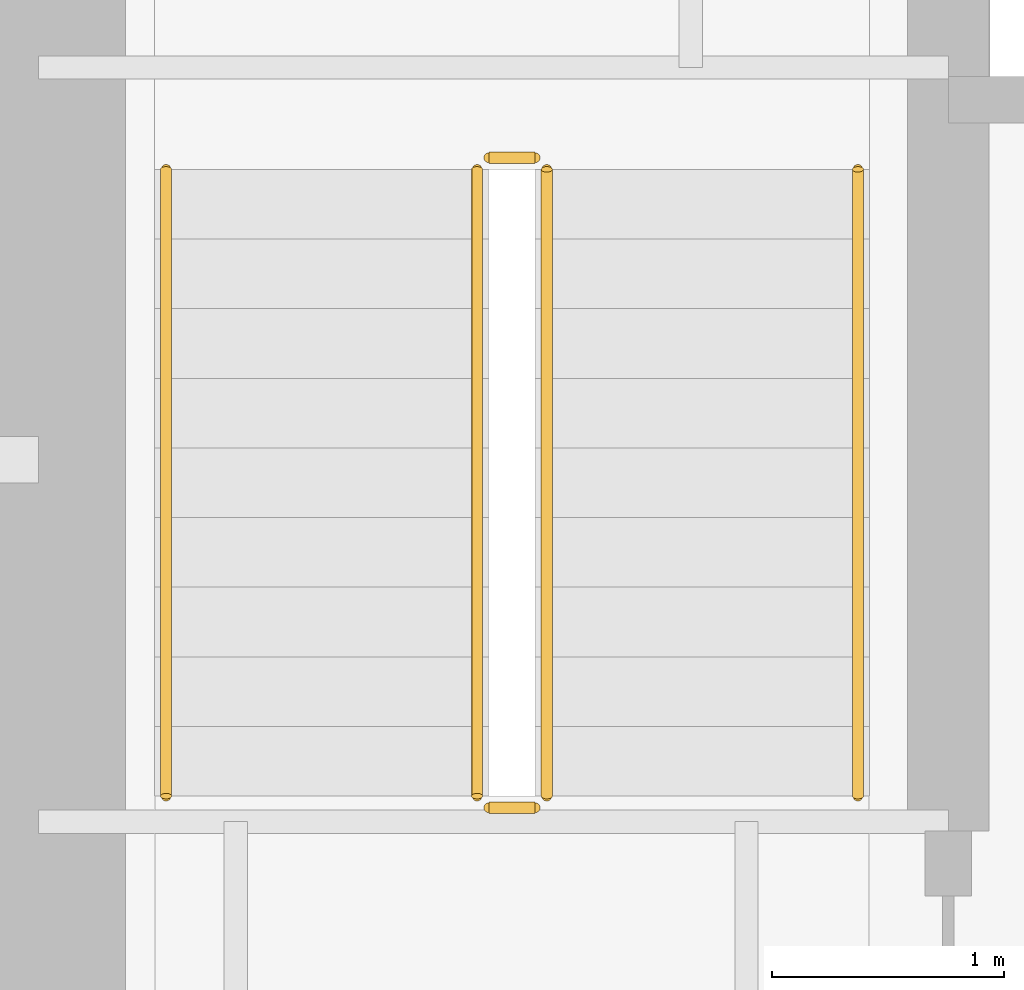
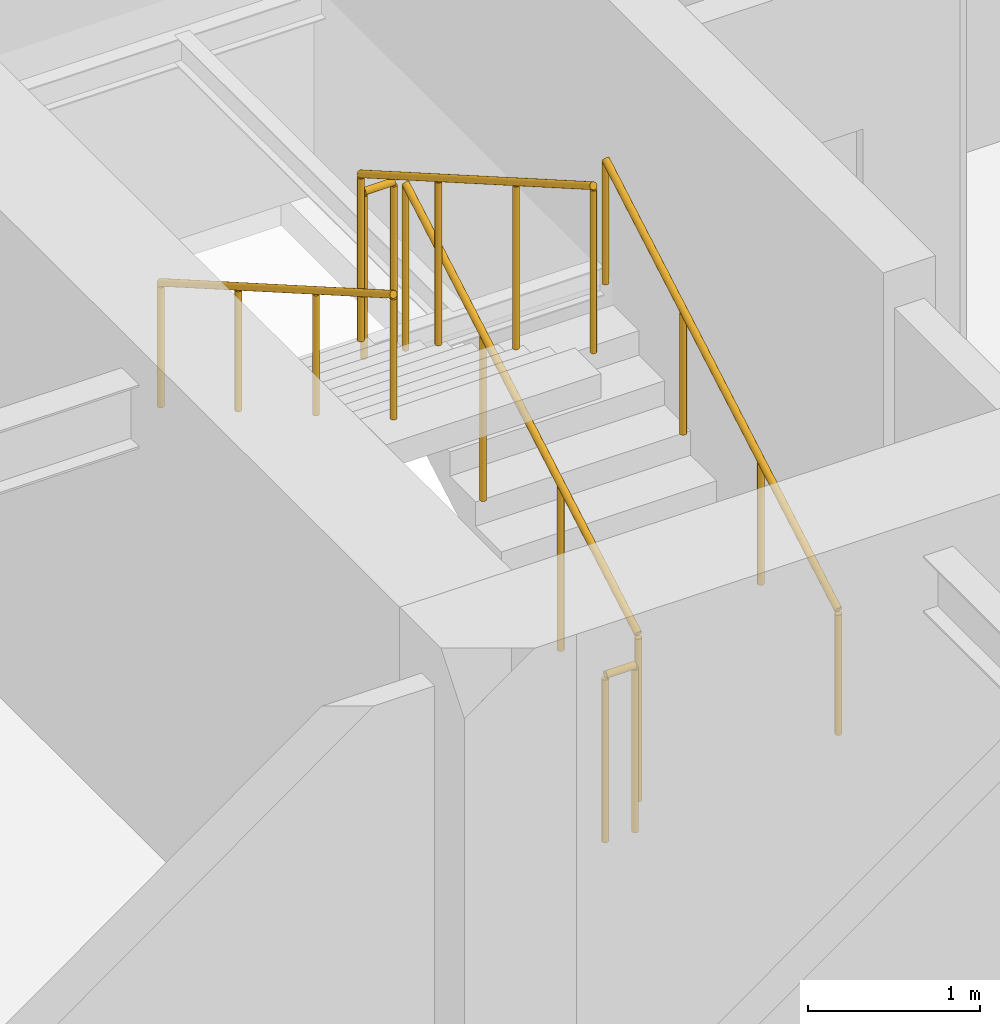
# One storey, part 13 of 15: 6 railings.
"""IFC4 building model written with IfcOpenShell, lengths in metres."""

from ifc_helpers import new_model, si_unit, direction, frame, origin, origin_2d, place, context, subcontext, project, spatial, circle, extrude, material, type_object, element, save


model = new_model("IFC4")

# Units and contexts
model_context = context("Model", 3, precision=1e-05, world=origin(), true_north=direction((0.0, 1.0)))
body_context = subcontext(model_context, "Body", "Model", "MODEL_VIEW")
ifc_project = project(units=[si_unit("LENGTHUNIT", "METRE"), si_unit("AREAUNIT", "SQUARE_METRE"), si_unit("VOLUMEUNIT", "CUBIC_METRE"), si_unit("PLANEANGLEUNIT", "RADIAN"), si_unit("MASSUNIT", "GRAM", prefix="KILO")], contexts=[model_context])

# Site, building, storey
site_placement = place(None, origin())
site = spatial("IfcSite", under=ifc_project, at=site_placement, CompositionType="ELEMENT")
building_placement = place(site_placement, origin())
building = spatial("IfcBuilding", under=site, at=building_placement, Name="Qiaolan Cultural Towers", CompositionType="ELEMENT")
storey_placement = place(building_placement, frame((0.0, 0.0, 60.949951171875)))
storey = spatial("IfcBuildingStorey", under=building, at=storey_placement, Name="L14", CompositionType="ELEMENT", Elevation=60.949951171875)

# Railings
ifc_material_1 = material(Name="Galvanized Painted Steel Stair Guardrail", Category="steel")
railing_type_1 = type_object("IfcRailingType", Name="RL-STAIR-GRD", PredefinedType="GUARDRAIL", material=ifc_material_1)
railing_1_placement = place(storey_placement, frame((23.989990234375, 48.449951171875, 0.172607421875)))
element("IfcRailing", 1, at=railing_1_placement, inside=storey, type_object=railing_type_1, Name="L14 ST-W2 stair guard 1", PredefinedType="GUARDRAIL", context=body_context, shape_type="SweptSolid", body=[
    extrude(circle(Radius=0.02392578125, at=origin_2d()), frame((0.0, 0.0, 1.17578125), z_axis=(0.0, 0.866903762492, 0.498475542607), x_axis=(-1.0, 0.0, 0.0)), (0.0, 0.0, 1.0), 3.114501953125),
    extrude(circle(Radius=0.02099609375, at=origin_2d()), origin(), (0.0, 0.0, 1.0), 1.15185546875),
    extrude(circle(Radius=0.02099609375, at=origin_2d()), frame((0.0, 0.89990234375, 0.517578125)), (0.0, 0.0, 1.0), 1.15185546875),
    extrude(circle(Radius=0.02099609375, at=origin_2d()), frame((0.0, 1.800048828125, 1.034912109375)), (0.0, 0.0, 1.0), 1.15185546875),
    extrude(circle(Radius=0.02099609375, at=origin_2d()), frame((0.0, 2.699951171875, 1.552490234375)), (0.0, 0.0, 1.0), 1.15185546875),
])
railing_2_placement = place(storey_placement, frame((23.93994140625, 51.199951171875, 1.72509765625)))
element("IfcRailing", 2, at=railing_2_placement, inside=storey, type_object=railing_type_1, Name="L14 ST-W2 stair guard 2", PredefinedType="GUARDRAIL", context=body_context, shape_type="SweptSolid", body=[
    extrude(circle(Radius=0.02392578125, at=origin_2d()), frame((0.0, 0.0, 1.17578125), z_axis=(-1.0, 0.0, 0.0), x_axis=(0.0, -1.0, 0.0)), (0.0, 0.0, 1.0), 0.199951171875),
    extrude(circle(Radius=0.02099609375, at=origin_2d()), origin(), (0.0, 0.0, 1.0), 1.15185546875),
    extrude(circle(Radius=0.02099609375, at=origin_2d()), frame((-0.199951171875, 0.0, 0.0)), (0.0, 0.0, 1.0), 1.15185546875),
])
railing_3_placement = place(storey_placement, frame((23.68994140625, 51.14990234375, 1.8974609375)))
element("IfcRailing", 3, at=railing_3_placement, inside=storey, type_object=railing_type_1, Name="L14 ST-W2 stair guard 3", PredefinedType="GUARDRAIL", context=body_context, shape_type="SweptSolid", body=[
    extrude(circle(Radius=0.02392578125, at=origin_2d()), frame((0.0, 0.0, 1.17578125), z_axis=(0.0, -0.866903762492, 0.498475542607), x_axis=(1.0, 0.0, 0.0)), (0.0, 0.0, 1.0), 3.114501953125),
    extrude(circle(Radius=0.02099609375, at=origin_2d()), origin(), (0.0, 0.0, 1.0), 1.15185546875),
    extrude(circle(Radius=0.02099609375, at=origin_2d()), frame((0.0, -0.89990234375, 0.517578125)), (0.0, 0.0, 1.0), 1.15185546875),
    extrude(circle(Radius=0.02099609375, at=origin_2d()), frame((0.0, -1.800048828125, 1.034912109375)), (0.0, 0.0, 1.0), 1.15185546875),
    extrude(circle(Radius=0.02099609375, at=origin_2d()), frame((0.0, -2.699951171875, 1.552490234375)), (0.0, 0.0, 1.0), 1.15185546875),
])
railing_4_placement = place(storey_placement, frame((23.93994140625, 48.39990234375, 0.0)))
element("IfcRailing", 4, at=railing_4_placement, inside=storey, type_object=railing_type_1, Name="L14 ST-W2 stair guard 4", PredefinedType="GUARDRAIL", context=body_context, shape_type="SweptSolid", body=[
    extrude(circle(Radius=0.02392578125, at=origin_2d()), frame((0.0, 0.0, 1.17578125), z_axis=(-1.0, 0.0, 0.0), x_axis=(0.0, -1.0, 0.0)), (0.0, 0.0, 1.0), 0.199951171875),
    extrude(circle(Radius=0.02099609375, at=origin_2d()), origin(), (0.0, 0.0, 1.0), 1.15185546875),
    extrude(circle(Radius=0.02099609375, at=origin_2d()), frame((-0.199951171875, 0.0, 0.0)), (0.0, 0.0, 1.0), 1.15185546875),
])
ifc_material_2 = material(Name="Stainless Steel S30408 Tubular Handrail", Category="steel")
railing_type_2 = type_object("IfcRailingType", Name="RL-STAIR-HR", PredefinedType="HANDRAIL", material=ifc_material_2)
railing_5_placement = place(storey_placement, frame((25.330078125, 48.449951171875, 0.172607421875)))
element("IfcRailing", 5, at=railing_5_placement, inside=storey, type_object=railing_type_2, Name="L14 ST-W2 stair handrail 1", PredefinedType="HANDRAIL", context=body_context, shape_type="SweptSolid", body=[
    extrude(circle(Radius=0.02392578125, at=origin_2d()), frame((0.0, 0.0, 0.8759765625), z_axis=(0.0, 0.866903762492, 0.498475542607), x_axis=(-1.0, 0.0, 0.0)), (0.0, 0.0, 1.0), 3.114501953125),
    extrude(circle(Radius=0.02099609375, at=origin_2d()), origin(), (0.0, 0.0, 1.0), 0.851806640625),
    extrude(circle(Radius=0.02099609375, at=origin_2d()), frame((0.0, 0.89990234375, 0.517578125)), (0.0, 0.0, 1.0), 0.851806640625),
    extrude(circle(Radius=0.02099609375, at=origin_2d()), frame((0.0, 1.800048828125, 1.034912109375)), (0.0, 0.0, 1.0), 0.851806640625),
    extrude(circle(Radius=0.02099609375, at=origin_2d()), frame((0.0, 2.699951171875, 1.552490234375)), (0.0, 0.0, 1.0), 0.851806640625),
])
railing_6_placement = place(storey_placement, frame((22.35009765625, 51.14990234375, 1.8974609375)))
element("IfcRailing", 6, at=railing_6_placement, inside=storey, type_object=railing_type_2, Name="L14 ST-W2 stair handrail 2", PredefinedType="HANDRAIL", context=body_context, shape_type="SweptSolid", body=[
    extrude(circle(Radius=0.02392578125, at=origin_2d()), frame((0.0, 0.0, 0.8759765625), z_axis=(0.0, -0.866903762492, 0.498475542607), x_axis=(1.0, 0.0, 0.0)), (0.0, 0.0, 1.0), 3.114501953125),
    extrude(circle(Radius=0.02099609375, at=origin_2d()), origin(), (0.0, 0.0, 1.0), 0.851806640625),
    extrude(circle(Radius=0.02099609375, at=origin_2d()), frame((0.0, -0.89990234375, 0.517578125)), (0.0, 0.0, 1.0), 0.851806640625),
    extrude(circle(Radius=0.02099609375, at=origin_2d()), frame((0.0, -1.800048828125, 1.034912109375)), (0.0, 0.0, 1.0), 0.851806640625),
    extrude(circle(Radius=0.02099609375, at=origin_2d()), frame((0.0, -2.699951171875, 1.552490234375)), (0.0, 0.0, 1.0), 0.851806640625),
])

save(model, "model.ifc")
